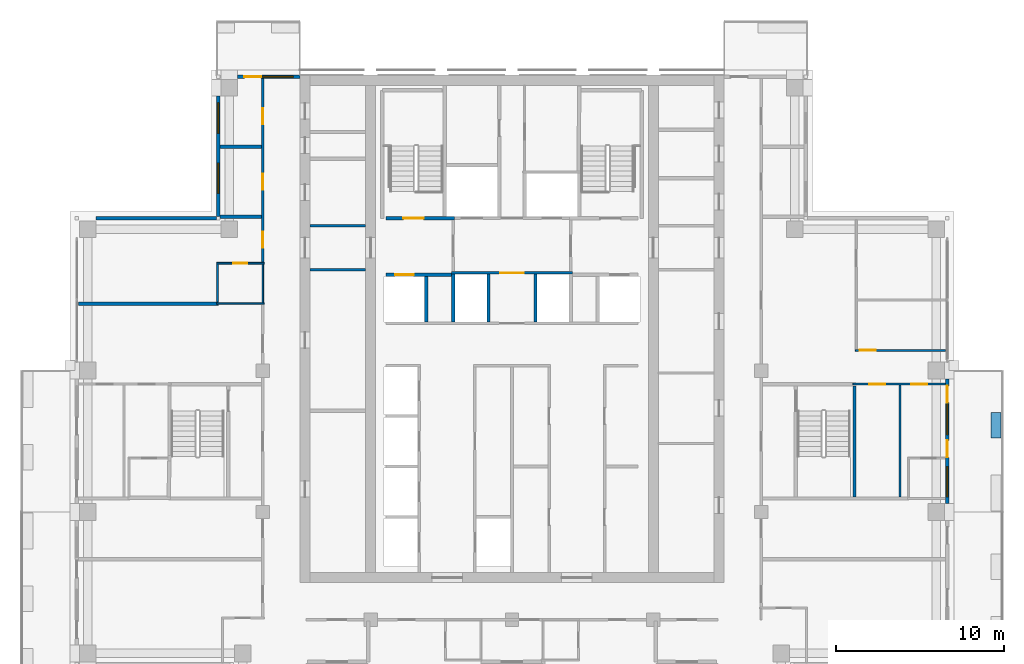
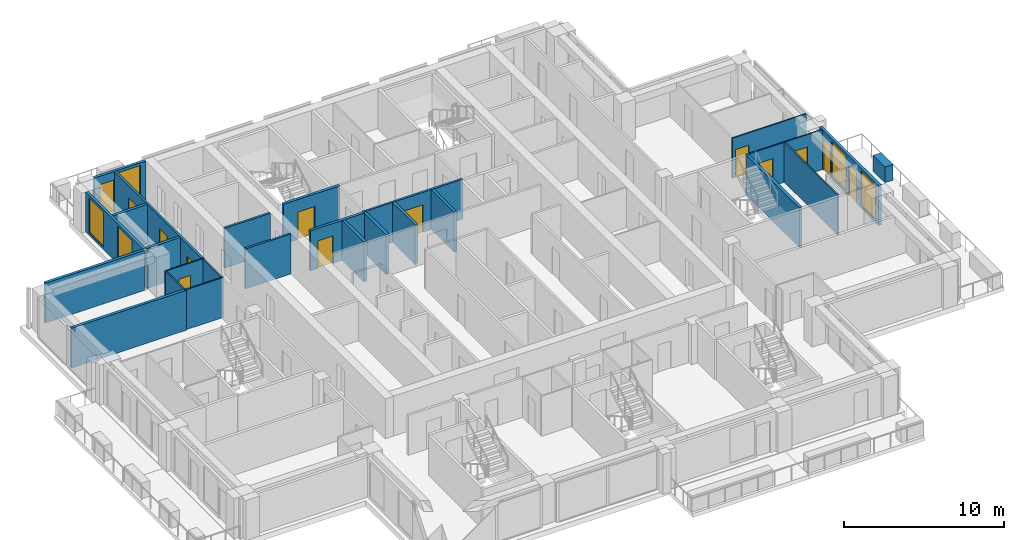
# One storey, part 12 of 17: 26 walls, 13 doors, 5 windows, 18 openings.
"""IFC4 building model written with IfcOpenShell, lengths in metres."""

from ifc_helpers import new_model, si_unit, direction, frame, frame_2d, origin, place, context, subcontext, project, spatial, rectangle, extrude, material, layer, layer_set, type_object, element, fill, save


model = new_model("IFC4")

# Units and contexts
model_context = context("Model", 3, precision=1e-05, world=origin(), true_north=direction((0.0, 1.0)))
body_context = subcontext(model_context, "Body", "Model", "MODEL_VIEW")
ifc_project = project(units=[si_unit("LENGTHUNIT", "METRE"), si_unit("AREAUNIT", "SQUARE_METRE"), si_unit("VOLUMEUNIT", "CUBIC_METRE"), si_unit("PLANEANGLEUNIT", "RADIAN"), si_unit("MASSUNIT", "GRAM", prefix="KILO")], contexts=[model_context])

# Site, building, storey
site_placement = place(None, origin())
site = spatial("IfcSite", under=ifc_project, at=site_placement, CompositionType="ELEMENT")
building_placement = place(site_placement, origin())
building = spatial("IfcBuilding", under=site, at=building_placement, Name="Vermilion Ogive Tower", CompositionType="ELEMENT")
storey_placement = place(building_placement, frame((0.0, 0.0, 203.14990234375)))
storey = spatial("IfcBuildingStorey", under=building, at=storey_placement, Name="L53", CompositionType="ELEMENT", Elevation=203.14990234375)

# Wall
ifc_material_1 = material(Name="Gypsum board partition on steel studs", Category="steel")
ifc_layer_1 = layer(ifc_material_1, 0.10009765625)
ifc_layer_set_1 = layer_set([ifc_layer_1], Name="Partition 100 bath")
wall_type_1 = type_object("IfcWallType", Name="Partition 100 bath", PredefinedType="PARTITIONING", material=ifc_layer_set_1)
wall_1_placement = place(storey_placement, frame((-17.550048828125, 8.179931640625, 0.0), z_axis=(0.0, 0.0, 1.0), x_axis=(1.0, 0.0, 0.0)))
element("IfcWall", 1, at=wall_1_placement, inside=storey, type_object=wall_type_1, Name="L53-W-W029", PredefinedType="PARTITIONING", context=body_context, shape_type="SweptSolid", body=[
    extrude(rectangle(XDim=2.824951171875, YDim=0.10009765625, at=frame_2d((1.41259765625, 0.0))), origin(), (0.0, 0.0, 1.0), 3.050048828125),
])

# Wall, opening, door
wall_2_placement = place(storey_placement, frame((-17.550048828125, 10.580078125, 0.0), z_axis=(0.0, 0.0, 1.0), x_axis=(1.0, 0.0, 0.0)))
wall_2 = element("IfcWall", 2, at=wall_2_placement, inside=storey, type_object=wall_type_1, Name="L53-W-W031", PredefinedType="PARTITIONING", context=body_context, shape_type="SweptSolid", body=[
    extrude(rectangle(XDim=2.824951171875, YDim=0.10009765625, at=frame_2d((1.41259765625, 0.0))), origin(), (0.0, 0.0, 1.0), 3.050048828125),
])
opening_1_placement = place(wall_2_placement, frame((0.97509765625, 0.0, 0.0)))
opening_1 = element("IfcOpeningElement", 3, at=opening_1_placement, cuts=wall_2, Name="Opening D4G4008", PredefinedType="OPENING", context=body_context, shape_type="SweptSolid", body=[
    extrude(rectangle(XDim=0.85009765625, YDim=2.10009765625, at=frame_2d((0.425048828125, 1.050048828125))), frame((0.0, 0.06005859375, 0.0), z_axis=(0.0, -1.0, 0.0), x_axis=(1.0, 0.0, 0.0)), (0.0, 0.0, 1.0), 0.1201171875),
])
ifc_material_2 = material(Name="Timber door leaf", Category="wood")
door_type_1 = type_object("IfcDoorType", Name="Bath door 850 x 2100 FD30", OperationType="SINGLE_SWING_LEFT", PredefinedType="DOOR", material=ifc_material_2)
door_1_placement = place(opening_1_placement, origin())
door_1 = element("IfcDoor", 4, at=door_1_placement, inside=storey, type_object=door_type_1, Name="L53-D-D008", OperationType="SINGLE_SWING_RIGHT", OverallHeight=2.10009765625, OverallWidth=0.85009765625, PredefinedType="DOOR", context=body_context, shape_type="SweptSolid", body=[
    extrude(rectangle(XDim=0.85009765625, YDim=2.10009765625, at=frame_2d((0.425048828125, 1.050048828125))), frame((0.0, 0.02490234375, 0.0), z_axis=(0.0, -1.0, 0.0), x_axis=(1.0, 0.0, 0.0)), (0.0, 0.0, 1.0), 0.050048828125),
])
fill(opening_1, door_1)

# Walls
wall_3_placement = place(storey_placement, frame((-17.5, 8.280029296875, 0.0), z_axis=(0.0, 0.0, 1.0), x_axis=(0.0, 1.0, 0.0)))
element("IfcWall", 5, at=wall_3_placement, inside=storey, type_object=wall_type_1, Name="L53-W-W040", PredefinedType="PARTITIONING", context=body_context, shape_type="SweptSolid", body=[
    extrude(rectangle(XDim=2.25, YDim=0.10009765625, at=frame_2d((1.125, 0.0))), origin(), (0.0, 0.0, 1.0), 3.050048828125),
])
wall_4_placement = place(storey_placement, frame((-14.800048828125, 8.22998046875, 0.0), z_axis=(0.0, 0.0, 1.0), x_axis=(0.0, 1.0, 0.0)))
element("IfcWall", 6, at=wall_4_placement, inside=storey, type_object=wall_type_1, Name="L53-W-W044", PredefinedType="PARTITIONING", context=body_context, shape_type="SweptSolid", body=[
    extrude(rectangle(XDim=2.300048828125, YDim=0.10009765625, at=frame_2d((1.14990234375, 0.0))), origin(), (0.0, 0.0, 1.0), 3.050048828125),
])

# Wall, openings, doors
ifc_material_3 = material(Name="Gypsum board partition on steel studs", Category="steel")
ifc_layer_2 = layer(ifc_material_3, 0.10009765625)
ifc_layer_set_2 = layer_set([ifc_layer_2], Name="Partition 100 inner")
wall_type_2 = type_object("IfcWallType", Name="Partition 100 inner", PredefinedType="PARTITIONING", material=ifc_layer_set_2)
wall_5_placement = place(storey_placement, frame((20.25, 3.39990234375, 0.0), z_axis=(0.0, 0.0, 1.0), x_axis=(1.0, 0.0, 0.0)))
wall_5 = element("IfcWall", 7, at=wall_5_placement, inside=storey, type_object=wall_type_2, Name="L53-W-W026", PredefinedType="PARTITIONING", context=body_context, shape_type="SweptSolid", body=[
    extrude(rectangle(XDim=5.5, YDim=0.10009765625, at=frame_2d((2.75, 0.0))), origin(), (0.0, 0.0, 1.0), 3.050048828125),
])
opening_2_placement = place(wall_5_placement, frame((3.474853515625, 0.0, 0.0)))
opening_2 = element("IfcOpeningElement", 8, at=opening_2_placement, cuts=wall_5, Name="Opening D4G4017", PredefinedType="OPENING", context=body_context, shape_type="SweptSolid", body=[
    extrude(rectangle(XDim=0.949951171875, YDim=2.10009765625, at=frame_2d((0.47509765625, 1.050048828125))), frame((0.0, 0.06005859375, 0.0), z_axis=(0.0, -1.0, 0.0), x_axis=(1.0, 0.0, 0.0)), (0.0, 0.0, 1.0), 0.1201171875),
])
opening_3_placement = place(wall_5_placement, frame((0.97509765625, 0.0, 0.0)))
opening_3 = element("IfcOpeningElement", 9, at=opening_3_placement, cuts=wall_5, Name="Opening D4G4021", PredefinedType="OPENING", context=body_context, shape_type="SweptSolid", body=[
    extrude(rectangle(XDim=0.949951171875, YDim=2.10009765625, at=frame_2d((0.47509765625, 1.050048828125))), frame((0.0, 0.06005859375, 0.0), z_axis=(0.0, -1.0, 0.0), x_axis=(1.0, 0.0, 0.0)), (0.0, 0.0, 1.0), 0.1201171875),
])
ifc_material_4 = material(Name="Timber door leaf", Category="wood")
door_type_2 = type_object("IfcDoorType", Name="Inner door 950 x 2100 FD30", OperationType="SINGLE_SWING_LEFT", PredefinedType="DOOR", material=ifc_material_4)
door_2_placement = place(opening_2_placement, origin())
door_2 = element("IfcDoor", 10, at=door_2_placement, inside=storey, type_object=door_type_2, Name="L53-D-D017", OperationType="SINGLE_SWING_RIGHT", OverallHeight=2.10009765625, OverallWidth=0.949951171875, PredefinedType="DOOR", context=body_context, shape_type="SweptSolid", body=[
    extrude(rectangle(XDim=0.949951171875, YDim=2.10009765625, at=frame_2d((0.47509765625, 1.050048828125))), frame((0.0, 0.02490234375, 0.0), z_axis=(0.0, -1.0, 0.0), x_axis=(1.0, 0.0, 0.0)), (0.0, 0.0, 1.0), 0.050048828125),
])
fill(opening_2, door_2)
door_3_placement = place(opening_3_placement, origin())
door_3 = element("IfcDoor", 11, at=door_3_placement, inside=storey, type_object=door_type_2, Name="L53-D-D021", OperationType="SINGLE_SWING_RIGHT", OverallHeight=2.10009765625, OverallWidth=0.949951171875, PredefinedType="DOOR", context=body_context, shape_type="SweptSolid", body=[
    extrude(rectangle(XDim=0.949951171875, YDim=2.10009765625, at=frame_2d((0.47509765625, 1.050048828125))), frame((0.0, 0.02490234375, 0.0), z_axis=(0.0, -1.0, 0.0), x_axis=(1.0, 0.0, 0.0)), (0.0, 0.0, 1.0), 0.050048828125),
])
fill(opening_3, door_3)

# Wall, opening, door
wall_6_placement = place(storey_placement, frame((20.39990234375, 5.39990234375, 0.0), z_axis=(0.0, 0.0, 1.0), x_axis=(1.0, 0.0, 0.0)))
wall_6 = element("IfcWall", 12, at=wall_6_placement, inside=storey, type_object=wall_type_2, Name="L53-W-W027", PredefinedType="PARTITIONING", context=body_context, shape_type="SweptSolid", body=[
    extrude(rectangle(XDim=5.35009765625, YDim=0.10009765625, at=frame_2d((2.675048828125, 0.0))), origin(), (0.0, 0.0, 1.0), 3.050048828125),
])
opening_4_placement = place(wall_6_placement, frame((0.25, 0.0, 0.0)))
opening_4 = element("IfcOpeningElement", 13, at=opening_4_placement, cuts=wall_6, Name="Opening D4G4018", PredefinedType="OPENING", context=body_context, shape_type="SweptSolid", body=[
    extrude(rectangle(XDim=0.949951171875, YDim=2.10009765625, at=frame_2d((0.47509765625, 1.050048828125))), frame((0.0, 0.06005859375, 0.0), z_axis=(0.0, -1.0, 0.0), x_axis=(1.0, 0.0, 0.0)), (0.0, 0.0, 1.0), 0.1201171875),
])
door_4_placement = place(opening_4_placement, origin())
door_4 = element("IfcDoor", 14, at=door_4_placement, inside=storey, type_object=door_type_2, Name="L53-D-D018", OperationType="SINGLE_SWING_LEFT", OverallHeight=2.10009765625, OverallWidth=0.949951171875, PredefinedType="DOOR", context=body_context, shape_type="SweptSolid", body=[
    extrude(rectangle(XDim=0.949951171875, YDim=2.10009765625, at=frame_2d((0.47509765625, 1.050048828125))), frame((0.0, 0.02490234375, 0.0), z_axis=(0.0, -1.0, 0.0), x_axis=(1.0, 0.0, 0.0)), (0.0, 0.0, 1.0), 0.050048828125),
])
fill(opening_4, door_4)

# Wall
wall_7_placement = place(storey_placement, frame((23.050048828125, -3.300048828125, 0.0), z_axis=(0.0, 0.0, 1.0), x_axis=(0.0, 1.0, 0.0)))
element("IfcWall", 15, at=wall_7_placement, inside=storey, type_object=wall_type_2, Name="L53-W-W061", PredefinedType="PARTITIONING", context=body_context, shape_type="SweptSolid", body=[
    extrude(rectangle(XDim=6.650146484375, YDim=0.10009765625, at=frame_2d((3.3251953125, 0.0))), origin(), (0.0, 0.0, 1.0), 3.050048828125),
])

# Wall, openings, doors
ifc_material_5 = material(Name="Gypsum board partition on steel studs", Category="steel")
ifc_layer_3 = layer(ifc_material_5, 0.14990234375)
ifc_layer_set_3 = layer_set([ifc_layer_3], Name="Partition 150 corridor")
wall_type_3 = type_object("IfcWallType", Name="Partition 150 corridor", PredefinedType="PARTITIONING", material=ifc_layer_set_3)
wall_8_placement = place(storey_placement, frame((-14.800048828125, 10.6298828125, 0.0), z_axis=(0.0, 0.0, 1.0), x_axis=(0.0, 1.0, 0.0)))
wall_8 = element("IfcWall", 16, at=wall_8_placement, inside=storey, type_object=wall_type_3, Name="L53-W-W045", PredefinedType="PARTITIONING", context=body_context, shape_type="SweptSolid", body=[
    extrude(rectangle(XDim=10.920166015625, YDim=0.14990234375, at=frame_2d((5.4599609375, 0.0))), origin(), (0.0, 0.0, 1.0), 3.050048828125),
])
opening_5_placement = place(wall_8_placement, frame((0.860107421875, 0.0, 0.0)))
opening_5 = element("IfcOpeningElement", 17, at=opening_5_placement, cuts=wall_8, Name="Opening D4G4007", PredefinedType="OPENING", context=body_context, shape_type="SweptSolid", body=[
    extrude(rectangle(XDim=0.949951171875, YDim=2.10009765625, at=frame_2d((0.47509765625, 1.050048828125))), frame((0.0, 0.0849609375, 0.0), z_axis=(0.0, -1.0, 0.0), x_axis=(1.0, 0.0, 0.0)), (0.0, 0.0, 1.0), 0.169921875),
])
opening_6_placement = place(wall_8_placement, frame((4.320068359375, 0.0, 0.0)))
opening_6 = element("IfcOpeningElement", 18, at=opening_6_placement, cuts=wall_8, Name="Opening D4G4009", PredefinedType="OPENING", context=body_context, shape_type="SweptSolid", body=[
    extrude(rectangle(XDim=0.949951171875, YDim=2.10009765625, at=frame_2d((0.47509765625, 1.050048828125))), frame((0.0, 0.0849609375, 0.0), z_axis=(0.0, -1.0, 0.0), x_axis=(1.0, 0.0, 0.0)), (0.0, 0.0, 1.0), 0.169921875),
])
opening_7_placement = place(wall_8_placement, frame((8.22021484375, 0.0, 0.0)))
opening_7 = element("IfcOpeningElement", 19, at=opening_7_placement, cuts=wall_8, Name="Opening D4G4010", PredefinedType="OPENING", context=body_context, shape_type="SweptSolid", body=[
    extrude(rectangle(XDim=0.949951171875, YDim=2.10009765625, at=frame_2d((0.47509765625, 1.050048828125))), frame((0.0, 0.0849609375, 0.0), z_axis=(0.0, -1.0, 0.0), x_axis=(1.0, 0.0, 0.0)), (0.0, 0.0, 1.0), 0.169921875),
])
ifc_material_6 = material(Name="Timber door leaf", Category="wood")
door_type_3 = type_object("IfcDoorType", Name="Unit door 950 x 2100 FD30S", OperationType="SINGLE_SWING_LEFT", PredefinedType="DOOR", material=ifc_material_6)
door_5_placement = place(opening_5_placement, origin())
door_5 = element("IfcDoor", 20, at=door_5_placement, inside=storey, type_object=door_type_3, Name="L53-D-D007", OperationType="SINGLE_SWING_LEFT", OverallHeight=2.10009765625, OverallWidth=0.949951171875, PredefinedType="DOOR", context=body_context, shape_type="SweptSolid", body=[
    extrude(rectangle(XDim=0.949951171875, YDim=2.10009765625, at=frame_2d((0.47509765625, 1.050048828125))), frame((0.0, 0.02490234375, 0.0), z_axis=(0.0, -1.0, 0.0), x_axis=(1.0, 0.0, 0.0)), (0.0, 0.0, 1.0), 0.050048828125),
])
fill(opening_5, door_5)
door_6_placement = place(opening_6_placement, origin())
door_6 = element("IfcDoor", 21, at=door_6_placement, inside=storey, type_object=door_type_3, Name="L53-D-D009", OperationType="SINGLE_SWING_LEFT", OverallHeight=2.10009765625, OverallWidth=0.949951171875, PredefinedType="DOOR", context=body_context, shape_type="SweptSolid", body=[
    extrude(rectangle(XDim=0.949951171875, YDim=2.10009765625, at=frame_2d((0.47509765625, 1.050048828125))), frame((0.0, 0.02490234375, 0.0), z_axis=(0.0, -1.0, 0.0), x_axis=(1.0, 0.0, 0.0)), (0.0, 0.0, 1.0), 0.050048828125),
])
fill(opening_6, door_6)
door_7_placement = place(opening_7_placement, origin())
door_7 = element("IfcDoor", 22, at=door_7_placement, inside=storey, type_object=door_type_3, Name="L53-D-D010", OperationType="SINGLE_SWING_RIGHT", OverallHeight=2.10009765625, OverallWidth=0.949951171875, PredefinedType="DOOR", context=body_context, shape_type="SweptSolid", body=[
    extrude(rectangle(XDim=0.949951171875, YDim=2.10009765625, at=frame_2d((0.47509765625, 1.050048828125))), frame((0.0, 0.02490234375, 0.0), z_axis=(0.0, -1.0, 0.0), x_axis=(1.0, 0.0, 0.0)), (0.0, 0.0, 1.0), 0.050048828125),
])
fill(opening_7, door_7)

# Wall, opening, door
wall_9_placement = place(storey_placement, frame((-3.60009765625, 10.0, 0.0), z_axis=(0.0, 0.0, 1.0), x_axis=(1.0, 0.0, 0.0)))
wall_9 = element("IfcWall", 23, at=wall_9_placement, inside=storey, type_object=wall_type_3, Name="L53-CK-W-W013", PredefinedType="PARTITIONING", context=body_context, shape_type="SweptSolid", body=[
    extrude(rectangle(XDim=7.2001953125, YDim=0.14990234375, at=frame_2d((3.60009765625, 0.0))), origin(), (0.0, 0.0, 1.0), 3.050048828125),
])
opening_8_placement = place(wall_9_placement, frame((2.900146484375, 0.0, 0.0)))
opening_8 = element("IfcOpeningElement", 24, at=opening_8_placement, cuts=wall_9, Name="Opening DAA470", PredefinedType="OPENING", context=body_context, shape_type="SweptSolid", body=[
    extrude(rectangle(XDim=1.39990234375, YDim=2.10009765625, at=frame_2d((0.699951171875, 1.050048828125))), frame((0.0, 0.0849609375, 0.0), z_axis=(0.0, -1.0, 0.0), x_axis=(1.0, 0.0, 0.0)), (0.0, 0.0, 1.0), 0.169921875),
])
ifc_material_7 = material(Name="Timber door leaf", Category="wood")
door_type_4 = type_object("IfcDoorType", Name="Lobby door 1400 x 2100 FD60S", OperationType="SINGLE_SWING_LEFT", PredefinedType="DOOR", material=ifc_material_7)
door_8_placement = place(opening_8_placement, origin())
door_8 = element("IfcDoor", 25, at=door_8_placement, inside=storey, type_object=door_type_4, Name="L53-CK-D-D016", OperationType="SINGLE_SWING_RIGHT", OverallHeight=2.10009765625, OverallWidth=1.39990234375, PredefinedType="DOOR", context=body_context, shape_type="SweptSolid", body=[
    extrude(rectangle(XDim=1.39990234375, YDim=2.10009765625, at=frame_2d((0.699951171875, 1.050048828125))), frame((0.0, 0.02490234375, 0.0), z_axis=(0.0, -1.0, 0.0), x_axis=(1.0, 0.0, 0.0)), (0.0, 0.0, 1.0), 0.050048828125),
])
fill(opening_8, door_8)

# Walls
for number, where, z_axis, x_axis, name in (
    (26, (-11.9990234375, 10.199951171875, 0.0), (0.0, 0.0, 1.0), (1.0, 0.0, 0.0), "L53-CKW-W-W002"),
    (27, (-11.9990234375, 12.800048828125, 0.0), (0.0, 0.0, 1.0), (1.0, 0.0, 0.0), "L53-CKW-W-W003"),
):
    element("IfcWall", number, at=place(storey_placement, frame(where, z_axis=z_axis, x_axis=x_axis)), inside=storey, type_object=wall_type_3, Name=name, PredefinedType="PARTITIONING", context=body_context, shape_type="SweptSolid", body=[
        extrude(rectangle(XDim=3.298095703125, YDim=0.14990234375, at=frame_2d((1.64892578125, 0.0))), origin(), (0.0, 0.0, 1.0), 3.050048828125),
    ])
ifc_material_8 = material(Name="Gypsum board partition on steel studs", Category="steel")
ifc_layer_4 = layer(ifc_material_8, 0.199951171875)
ifc_layer_set_4 = layer_set([ifc_layer_4], Name="Partition 200 party")
wall_type_4 = type_object("IfcWallType", Name="Partition 200 party", PredefinedType="PARTITIONING", material=ifc_layer_set_4)
wall_10_placement = place(storey_placement, frame((-25.75, 8.179931640625, 0.0), z_axis=(0.0, 0.0, 1.0), x_axis=(1.0, 0.0, 0.0)))
element("IfcWall", 28, at=wall_10_placement, inside=storey, type_object=wall_type_4, Name="L53-W-W028", PredefinedType="PARTITIONING", context=body_context, shape_type="SweptSolid", body=[
    extrude(rectangle(XDim=8.300048828125, YDim=0.199951171875, at=frame_2d((4.14990234375, 0.0))), origin(), (0.0, 0.0, 1.0), 3.050048828125),
])
for number, where, z_axis, x_axis, name in (
    (29, (-17.35009765625, 13.35009765625, 0.0), (0.0, 0.0, 1.0), (1.0, 0.0, 0.0), "L53-W-W032"),
    (30, (-17.35009765625, 17.5, 0.0), (0.0, 0.0, 1.0), (1.0, 0.0, 0.0), "L53-W-W034"),
):
    element("IfcWall", number, at=place(storey_placement, frame(where, z_axis=z_axis, x_axis=x_axis)), inside=storey, type_object=wall_type_4, Name=name, PredefinedType="PARTITIONING", context=body_context, shape_type="SweptSolid", body=[
        extrude(rectangle(XDim=2.47509765625, YDim=0.199951171875, at=frame_2d((1.237548828125, 0.0))), origin(), (0.0, 0.0, 1.0), 3.050048828125),
    ])

# Wall, opening, door
wall_11_placement = place(storey_placement, frame((-7.5, 9.89990234375, 0.0), z_axis=(0.0, 0.0, 1.0), x_axis=(1.0, 0.0, 0.0)))
wall_11 = element("IfcWall", 31, at=wall_11_placement, inside=storey, type_object=wall_type_4, Name="L53-CK-W-W011", PredefinedType="PARTITIONING", context=body_context, shape_type="SweptSolid", body=[
    extrude(rectangle(XDim=3.89990234375, YDim=0.199951171875, at=frame_2d((1.949951171875, 0.0))), origin(), (0.0, 0.0, 1.0), 3.050048828125),
])
opening_9_placement = place(wall_11_placement, frame((0.550048828125, 0.0, 0.0)))
opening_9 = element("IfcOpeningElement", 32, at=opening_9_placement, cuts=wall_11, Name="Opening DAA486", PredefinedType="OPENING", context=body_context, shape_type="SweptSolid", body=[
    extrude(rectangle(XDim=1.10009765625, YDim=2.10009765625, at=frame_2d((0.550048828125, 1.050048828125))), frame((0.0, 0.10986328125, 0.0), z_axis=(0.0, -1.0, 0.0), x_axis=(1.0, 0.0, 0.0)), (0.0, 0.0, 1.0), 0.219970703125),
])
ifc_material_9 = material(Name="Stainless steel", Category="steel")
door_type_5 = type_object("IfcDoorType", Name="Lift landing door 1100 x 2100", OperationType="SLIDING_TO_LEFT", PredefinedType="DOOR", material=ifc_material_9)
door_9_placement = place(opening_9_placement, origin())
door_9 = element("IfcDoor", 33, at=door_9_placement, inside=storey, type_object=door_type_5, Name="L53-CK-D-D012", OperationType="SLIDING_TO_RIGHT", OverallHeight=2.10009765625, OverallWidth=1.10009765625, PredefinedType="DOOR", context=body_context, shape_type="SweptSolid", body=[
    extrude(rectangle(XDim=1.10009765625, YDim=2.10009765625, at=frame_2d((0.550048828125, 1.050048828125))), frame((0.0, 0.02490234375, 0.0), z_axis=(0.0, -1.0, 0.0), x_axis=(1.0, 0.0, 0.0)), (0.0, 0.0, 1.0), 0.050048828125),
])
fill(opening_9, door_9)

# Walls
wall_12_placement = place(storey_placement, frame((-5.10009765625, 7.074951171875, 0.0), z_axis=(0.0, 0.0, 1.0), x_axis=(0.0, 1.0, 0.0)))
element("IfcWall", 34, at=wall_12_placement, inside=storey, type_object=wall_type_4, Name="L53-CK-W-W020", PredefinedType="PARTITIONING", context=body_context, shape_type="SweptSolid", body=[
    extrude(rectangle(XDim=2.72509765625, YDim=0.199951171875, at=frame_2d((1.362548828125, 0.0))), origin(), (0.0, 0.0, 1.0), 3.050048828125),
])
for number, where, z_axis, x_axis, name in (
    (35, (-3.5, 7.074951171875, 0.0), (0.0, 0.0, 1.0), (0.0, 1.0, 0.0), "L53-CK-W-W022"),
    (36, (-1.39990234375, 7.074951171875, 0.0), (0.0, 0.0, 1.0), (0.0, 1.0, 0.0), "L53-CK-W-W025"),
    (37, (1.39990234375, 7.074951171875, 0.0), (0.0, 0.0, 1.0), (0.0, 1.0, 0.0), "L53-CK-W-W030"),
):
    element("IfcWall", number, at=place(storey_placement, frame(where, z_axis=z_axis, x_axis=x_axis)), inside=storey, type_object=wall_type_4, Name=name, PredefinedType="PARTITIONING", context=body_context, shape_type="SweptSolid", body=[
        extrude(rectangle(XDim=2.85009765625, YDim=0.199951171875, at=frame_2d((1.425048828125, 0.0))), origin(), (0.0, 0.0, 1.0), 3.050048828125),
    ])

# Wall, opening, door
ifc_material_10 = material(Name="Concrete B60", Category="concrete")
ifc_layer_5 = layer(ifc_material_10, 0.199951171875)
ifc_layer_set_5 = layer_set([ifc_layer_5], Name="Stair shaft wall 200 Concrete B60")
wall_type_5 = type_object("IfcWallType", Name="Stair shaft wall 200 Concrete B60", PredefinedType="SOLIDWALL", material=ifc_layer_set_5)
wall_13_placement = place(storey_placement, frame((-7.5, 13.25, 0.0), z_axis=(0.0, 0.0, 1.0), x_axis=(1.0, 0.0, 0.0)))
wall_13 = element("IfcWall", 38, at=wall_13_placement, inside=storey, type_object=wall_type_5, Name="L53-CK-W-W014", PredefinedType="SOLIDWALL", context=body_context, shape_type="SweptSolid", body=[
    extrude(rectangle(XDim=4.074951171875, YDim=0.199951171875, at=frame_2d((2.03759765625, 0.0))), origin(), (0.0, 0.0, 1.0), 3.050048828125),
])
opening_10_placement = place(wall_13_placement, frame((1.050048828125, 0.0, 0.0)))
opening_10 = element("IfcOpeningElement", 39, at=opening_10_placement, cuts=wall_13, Name="Opening DAA479", PredefinedType="OPENING", context=body_context, shape_type="SweptSolid", body=[
    extrude(rectangle(XDim=1.199951171875, YDim=2.10009765625, at=frame_2d((0.60009765625, 1.050048828125))), frame((0.0, 0.10986328125, 0.0), z_axis=(0.0, -1.0, 0.0), x_axis=(1.0, 0.0, 0.0)), (0.0, 0.0, 1.0), 0.219970703125),
])
ifc_material_11 = material(Name="Timber door leaf", Category="wood")
door_type_6 = type_object("IfcDoorType", Name="Stair door 1200 x 2100 FD60S", OperationType="SINGLE_SWING_LEFT", PredefinedType="DOOR", material=ifc_material_11)
door_10_placement = place(opening_10_placement, origin())
door_10 = element("IfcDoor", 40, at=door_10_placement, inside=storey, type_object=door_type_6, Name="L53-CK-D-D011", OperationType="SINGLE_SWING_LEFT", OverallHeight=2.10009765625, OverallWidth=1.199951171875, PredefinedType="DOOR", context=body_context, shape_type="SweptSolid", body=[
    extrude(rectangle(XDim=1.199951171875, YDim=2.10009765625, at=frame_2d((0.60009765625, 1.050048828125))), frame((0.0, 0.02490234375, 0.0), z_axis=(0.0, -1.0, 0.0), x_axis=(1.0, 0.0, 0.0)), (0.0, 0.0, 1.0), 0.050048828125),
])
fill(opening_10, door_10)

# Walls
wall_14_placement = place(storey_placement, frame((20.35009765625, -3.300048828125, 0.0), z_axis=(0.0, 0.0, 1.0), x_axis=(0.0, 1.0, 0.0)))
element("IfcWall", 41, at=wall_14_placement, inside=storey, type_object=wall_type_5, Name="L53-W-W059-A", PredefinedType="SOLIDWALL", context=body_context, shape_type="SweptSolid", body=[
    extrude(rectangle(XDim=6.60009765625, YDim=0.199951171875, at=frame_2d((3.300048828125, 0.0))), origin(), (0.0, 0.0, 1.0), 3.050048828125),
])
ifc_material_12 = material(Name="Concrete B40", Category="concrete")
ifc_layer_6 = layer(ifc_material_12, 0.60009765625)
ifc_layer_set_6 = layer_set([ifc_layer_6], Name="Structural planter")
wall_type_6 = type_object("IfcWallType", Name="Structural planter", PredefinedType="USERDEFINED", material=ifc_layer_set_6)
wall_15_placement = place(storey_placement, frame((28.75, 0.199951171875, -0.039794921875), z_axis=(0.0, 0.0, 1.0), x_axis=(0.0, 1.0, 0.0)))
element("IfcWall", 42, at=wall_15_placement, inside=storey, type_object=wall_type_6, Name="Planter E02A2", ObjectType="PLANTER", PredefinedType="USERDEFINED", context=body_context, shape_type="SweptSolid", body=[
    extrude(rectangle(XDim=1.5, YDim=0.60009765625, at=frame_2d((0.75, 0.0))), origin(), (0.0, 0.0, 1.0), 1.199951171875),
])

# Wall, openings, doors, windows
ifc_material_13 = material(Name="Aluminium window wall framing", Category="aluminium")
ifc_layer_7 = layer(ifc_material_13, 0.199951171875)
ifc_layer_set_7 = layer_set([ifc_layer_7], Name="Window wall")
wall_type_7 = type_object("IfcWallType", Name="Window wall", PredefinedType="STANDARD", material=ifc_layer_set_7)
wall_16_placement = place(storey_placement, frame((25.85009765625, -3.699951171875, 0.0), z_axis=(0.0, 0.0, 1.0), x_axis=(0.0, 1.0, 0.0)))
wall_16 = element("IfcWall", 43, at=wall_16_placement, inside=storey, type_object=wall_type_7, Name="Window wall E2", PredefinedType="STANDARD", context=body_context, shape_type="SweptSolid", body=[
    extrude(rectangle(XDim=7.39990234375, YDim=0.199951171875, at=frame_2d((3.699951171875, 0.0))), origin(), (0.0, 0.0, 1.0), 3.050048828125),
])
opening_11_placement = place(wall_16_placement, frame((0.39990234375, 0.0, 0.199951171875)))
opening_11 = element("IfcOpeningElement", 44, at=opening_11_placement, cuts=wall_16, Name="Opening W1-E99", PredefinedType="OPENING", context=body_context, shape_type="SweptSolid", body=[
    extrude(rectangle(XDim=1.800048828125, YDim=2.64990234375, at=frame_2d((0.89990234375, 1.324951171875))), frame((0.0, 0.10986328125, 0.0), z_axis=(0.0, -1.0, 0.0), x_axis=(1.0, 0.0, 0.0)), (0.0, 0.0, 1.0), 0.219970703125),
])
opening_12_placement = place(wall_16_placement, frame((2.75, 0.0, 0.0)))
opening_12 = element("IfcOpeningElement", 45, at=opening_12_placement, cuts=wall_16, Name="Opening D1-E99", PredefinedType="OPENING", context=body_context, shape_type="SweptSolid", body=[
    extrude(rectangle(XDim=1.0, YDim=2.39990234375, at=frame_2d((0.5, 1.199951171875))), frame((0.0, 0.10986328125, 0.0), z_axis=(0.0, -1.0, 0.0), x_axis=(1.0, 0.0, 0.0)), (0.0, 0.0, 1.0), 0.219970703125),
])
opening_13_placement = place(wall_16_placement, frame((4.10009765625, 0.0, 0.199951171875)))
opening_13 = element("IfcOpeningElement", 46, at=opening_13_placement, cuts=wall_16, Name="Opening W1-E00", PredefinedType="OPENING", context=body_context, shape_type="SweptSolid", body=[
    extrude(rectangle(XDim=1.800048828125, YDim=2.64990234375, at=frame_2d((0.89990234375, 1.324951171875))), frame((0.0, 0.10986328125, 0.0), z_axis=(0.0, -1.0, 0.0), x_axis=(1.0, 0.0, 0.0)), (0.0, 0.0, 1.0), 0.219970703125),
])
opening_14_placement = place(wall_16_placement, frame((6.0, 0.0, 0.0)))
opening_14 = element("IfcOpeningElement", 47, at=opening_14_placement, cuts=wall_16, Name="Opening D1-E00", PredefinedType="OPENING", context=body_context, shape_type="SweptSolid", body=[
    extrude(rectangle(XDim=1.0, YDim=2.39990234375, at=frame_2d((0.5, 1.199951171875))), frame((0.0, 0.10986328125, 0.0), z_axis=(0.0, -1.0, 0.0), x_axis=(1.0, 0.0, 0.0)), (0.0, 0.0, 1.0), 0.219970703125),
])
ifc_material_14 = material(Name="Aluminium framed glazed door", Category="aluminium")
door_type_7 = type_object("IfcDoorType", Name="Balcony door D1", OperationType="SINGLE_SWING_LEFT", PredefinedType="DOOR", material=ifc_material_14)
door_11_placement = place(opening_12_placement, origin())
door_11 = element("IfcDoor", 48, at=door_11_placement, inside=storey, type_object=door_type_7, Name="Balcony door E99", OperationType="SINGLE_SWING_LEFT", OverallHeight=2.39990234375, OverallWidth=1.0, PredefinedType="DOOR", context=body_context, shape_type="SweptSolid", body=[
    extrude(rectangle(XDim=1.0, YDim=2.39990234375, at=frame_2d((0.5, 1.199951171875))), frame((0.0, 0.02490234375, 0.0), z_axis=(0.0, -1.0, 0.0), x_axis=(1.0, 0.0, 0.0)), (0.0, 0.0, 1.0), 0.050048828125),
])
fill(opening_12, door_11)
door_12_placement = place(opening_14_placement, origin())
door_12 = element("IfcDoor", 49, at=door_12_placement, inside=storey, type_object=door_type_7, Name="Balcony door E00", OperationType="SINGLE_SWING_LEFT", OverallHeight=2.39990234375, OverallWidth=1.0, PredefinedType="DOOR", context=body_context, shape_type="SweptSolid", body=[
    extrude(rectangle(XDim=1.0, YDim=2.39990234375, at=frame_2d((0.5, 1.199951171875))), frame((0.0, 0.02490234375, 0.0), z_axis=(0.0, -1.0, 0.0), x_axis=(1.0, 0.0, 0.0)), (0.0, 0.0, 1.0), 0.050048828125),
])
fill(opening_14, door_12)
ifc_material_15 = material(Name="Aluminium framed double glazing", Category="aluminium")
window_type = type_object("IfcWindowType", Name="Guest window W1", PartitioningType="SINGLE_PANEL", PredefinedType="WINDOW", material=ifc_material_15)
window_1_placement = place(opening_11_placement, origin())
window_1 = element("IfcWindow", 50, at=window_1_placement, inside=storey, type_object=window_type, Name="Window E99", OverallHeight=2.64990234375, OverallWidth=1.800048828125, PartitioningType="SINGLE_PANEL", PredefinedType="WINDOW", context=body_context, shape_type="SweptSolid", body=[
    extrude(rectangle(XDim=1.800048828125, YDim=2.64990234375, at=frame_2d((0.89990234375, 1.324951171875))), frame((0.0, 0.030029296875, 0.0), z_axis=(0.0, -1.0, 0.0), x_axis=(1.0, 0.0, 0.0)), (0.0, 0.0, 1.0), 0.06005859375),
])
fill(opening_11, window_1)
window_2_placement = place(opening_13_placement, origin())
window_2 = element("IfcWindow", 51, at=window_2_placement, inside=storey, type_object=window_type, Name="Window E00", OverallHeight=2.64990234375, OverallWidth=1.800048828125, PartitioningType="SINGLE_PANEL", PredefinedType="WINDOW", context=body_context, shape_type="SweptSolid", body=[
    extrude(rectangle(XDim=1.800048828125, YDim=2.64990234375, at=frame_2d((0.89990234375, 1.324951171875))), frame((0.0, 0.030029296875, 0.0), z_axis=(0.0, -1.0, 0.0), x_axis=(1.0, 0.0, 0.0)), (0.0, 0.0, 1.0), 0.06005859375),
])
fill(opening_13, window_2)

# Wall, openings, door, window
wall_17_placement = place(storey_placement, frame((-12.60009765625, 21.64990234375, 0.0), z_axis=(0.0, 0.0, 1.0), x_axis=(-1.0, 0.0, 0.0)))
wall_17 = element("IfcWall", 52, at=wall_17_placement, inside=storey, type_object=wall_type_7, Name="Window wall N21", PredefinedType="STANDARD", context=body_context, shape_type="SweptSolid", body=[
    extrude(rectangle(XDim=3.699951171875, YDim=0.199951171875, at=frame_2d((1.85009765625, 0.0))), origin(), (0.0, 0.0, 1.0), 3.050048828125),
])
opening_15_placement = place(wall_17_placement, frame((0.39990234375, 0.0, 0.199951171875)))
opening_15 = element("IfcOpeningElement", 53, at=opening_15_placement, cuts=wall_17, Name="Opening W1-N296", PredefinedType="OPENING", context=body_context, shape_type="SweptSolid", body=[
    extrude(rectangle(XDim=1.800048828125, YDim=2.64990234375, at=frame_2d((0.89990234375, 1.324951171875))), frame((0.0, 0.10986328125, 0.0), z_axis=(0.0, -1.0, 0.0), x_axis=(1.0, 0.0, 0.0)), (0.0, 0.0, 1.0), 0.219970703125),
])
opening_16_placement = place(wall_17_placement, frame((2.300048828125, 0.0, 0.0)))
opening_16 = element("IfcOpeningElement", 54, at=opening_16_placement, cuts=wall_17, Name="Opening D1-N296", PredefinedType="OPENING", context=body_context, shape_type="SweptSolid", body=[
    extrude(rectangle(XDim=1.0, YDim=2.39990234375, at=frame_2d((0.5, 1.199951171875))), frame((0.0, 0.10986328125, 0.0), z_axis=(0.0, -1.0, 0.0), x_axis=(1.0, 0.0, 0.0)), (0.0, 0.0, 1.0), 0.219970703125),
])
door_13_placement = place(opening_16_placement, origin())
door_13 = element("IfcDoor", 55, at=door_13_placement, inside=storey, type_object=door_type_7, Name="Balcony door N296", OperationType="SINGLE_SWING_LEFT", OverallHeight=2.39990234375, OverallWidth=1.0, PredefinedType="DOOR", context=body_context, shape_type="SweptSolid", body=[
    extrude(rectangle(XDim=1.0, YDim=2.39990234375, at=frame_2d((0.5, 1.199951171875))), frame((0.0, 0.02490234375, 0.0), z_axis=(0.0, -1.0, 0.0), x_axis=(1.0, 0.0, 0.0)), (0.0, 0.0, 1.0), 0.050048828125),
])
fill(opening_16, door_13)
window_3_placement = place(opening_15_placement, origin())
window_3 = element("IfcWindow", 56, at=window_3_placement, inside=storey, type_object=window_type, Name="Window N296", OverallHeight=2.64990234375, OverallWidth=1.800048828125, PartitioningType="SINGLE_PANEL", PredefinedType="WINDOW", context=body_context, shape_type="SweptSolid", body=[
    extrude(rectangle(XDim=1.800048828125, YDim=2.64990234375, at=frame_2d((0.89990234375, 1.324951171875))), frame((0.0, 0.030029296875, 0.0), z_axis=(0.0, -1.0, 0.0), x_axis=(1.0, 0.0, 0.0)), (0.0, 0.0, 1.0), 0.06005859375),
])
fill(opening_15, window_3)

# Wall, openings, windows
wall_18_placement = place(storey_placement, frame((-17.449951171875, 20.5, 0.0), z_axis=(0.0, 0.0, 1.0), x_axis=(0.0, -1.0, 0.0)))
wall_18 = element("IfcWall", 57, at=wall_18_placement, inside=storey, type_object=wall_type_7, Name="Window wall X51", PredefinedType="STANDARD", context=body_context, shape_type="SweptSolid", body=[
    extrude(rectangle(XDim=7.14990234375, YDim=0.199951171875, at=frame_2d((3.574951171875, 0.0))), origin(), (0.0, 0.0, 1.0), 3.050048828125),
])
opening_17_placement = place(wall_18_placement, frame((3.97509765625, 0.0, 0.199951171875)))
opening_17 = element("IfcOpeningElement", 58, at=opening_17_placement, cuts=wall_18, Name="Opening W1-X503", PredefinedType="OPENING", context=body_context, shape_type="SweptSolid", body=[
    extrude(rectangle(XDim=1.800048828125, YDim=2.64990234375, at=frame_2d((0.89990234375, 1.324951171875))), frame((0.0, 0.10986328125, 0.0), z_axis=(0.0, -1.0, 0.0), x_axis=(1.0, 0.0, 0.0)), (0.0, 0.0, 1.0), 0.219970703125),
])
opening_18_placement = place(wall_18_placement, frame((0.39990234375, 0.0, 0.199951171875)))
opening_18 = element("IfcOpeningElement", 59, at=opening_18_placement, cuts=wall_18, Name="Opening W1-X504", PredefinedType="OPENING", context=body_context, shape_type="SweptSolid", body=[
    extrude(rectangle(XDim=1.800048828125, YDim=2.64990234375, at=frame_2d((0.89990234375, 1.324951171875))), frame((0.0, 0.10986328125, 0.0), z_axis=(0.0, -1.0, 0.0), x_axis=(1.0, 0.0, 0.0)), (0.0, 0.0, 1.0), 0.219970703125),
])
window_4_placement = place(opening_17_placement, origin())
window_4 = element("IfcWindow", 60, at=window_4_placement, inside=storey, type_object=window_type, Name="Window X503", OverallHeight=2.64990234375, OverallWidth=1.800048828125, PartitioningType="SINGLE_PANEL", PredefinedType="WINDOW", context=body_context, shape_type="SweptSolid", body=[
    extrude(rectangle(XDim=1.800048828125, YDim=2.64990234375, at=frame_2d((0.89990234375, 1.324951171875))), frame((0.0, 0.030029296875, 0.0), z_axis=(0.0, -1.0, 0.0), x_axis=(1.0, 0.0, 0.0)), (0.0, 0.0, 1.0), 0.06005859375),
])
fill(opening_17, window_4)
window_5_placement = place(opening_18_placement, origin())
window_5 = element("IfcWindow", 61, at=window_5_placement, inside=storey, type_object=window_type, Name="Window X504", OverallHeight=2.64990234375, OverallWidth=1.800048828125, PartitioningType="SINGLE_PANEL", PredefinedType="WINDOW", context=body_context, shape_type="SweptSolid", body=[
    extrude(rectangle(XDim=1.800048828125, YDim=2.64990234375, at=frame_2d((0.89990234375, 1.324951171875))), frame((0.0, 0.030029296875, 0.0), z_axis=(0.0, -1.0, 0.0), x_axis=(1.0, 0.0, 0.0)), (0.0, 0.0, 1.0), 0.06005859375),
])
fill(opening_18, window_5)

# Wall
wall_19_placement = place(storey_placement, frame((-17.550048828125, 13.25, 0.0), z_axis=(0.0, 0.0, 1.0), x_axis=(-1.0, 0.0, 0.0)))
element("IfcWall", 62, at=wall_19_placement, inside=storey, type_object=wall_type_7, Name="Window wall X61", PredefinedType="STANDARD", context=body_context, shape_type="SweptSolid", body=[
    extrude(rectangle(XDim=7.14990234375, YDim=0.199951171875, at=frame_2d((3.574951171875, 0.0))), origin(), (0.0, 0.0, 1.0), 3.050048828125),
])

save(model, "model.ifc")
